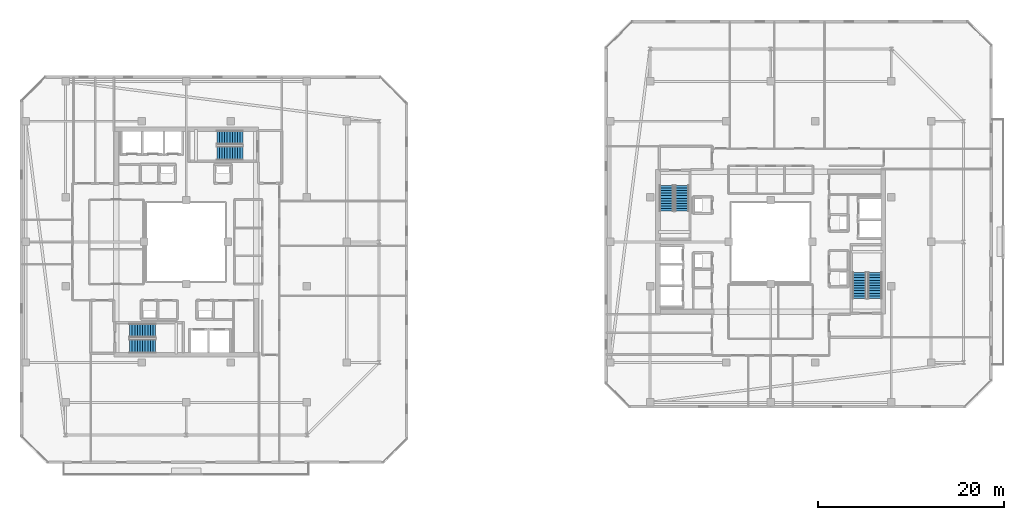
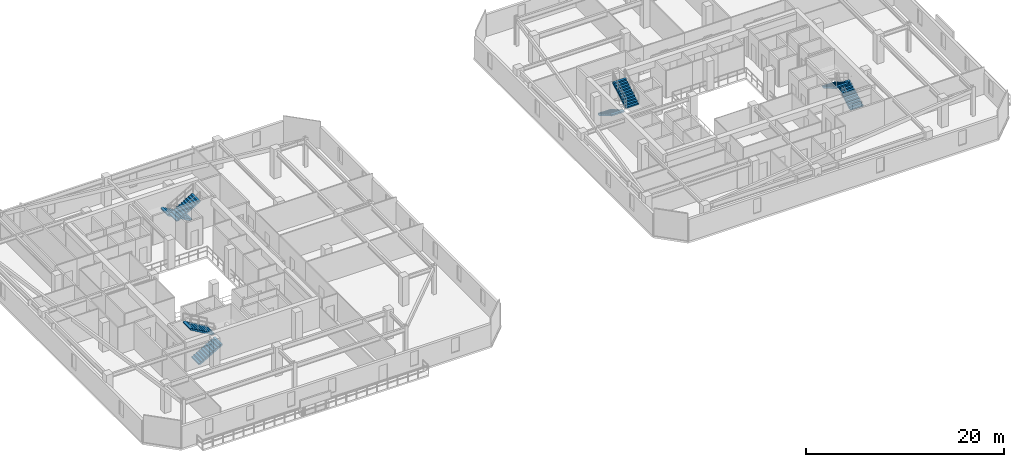
# One storey, part 29 of 35: 8 stair flights, 4 elements without a shape of their own.
"""IFC4 building model written with IfcOpenShell, lengths in metres."""

import ifcopenshell
import ifcopenshell.guid

model = None  # the IFC model being written
_history = None  # IfcOwnerHistory: only IFC2X3 demands one
_inside = {}  # id of a spatial element -> (the spatial element, [elements in it])
_under = {}  # id of a project, library or spatial element -> (it, [spatial elements below it])
_declared = {}  # id of a project -> (the project, [libraries it declares])
_typed = {}  # id of a type object -> (the type object, [elements of that type])
_made_of = {}  # id of a material, layer set ... -> (it, [elements and type objects made of it])


def new_model(schema):
    """Start an empty IFC model of exactly this schema.

    Asked for "IFC4X3", IfcOpenShell would pick the latest addendum, in which some entities
    have other attributes; the version numbers below select the first issue.
    IFC2X3 requires an IfcOwnerHistory on every rooted entity: one is made here for all.
    """
    global model, _history
    if schema == "IFC4X3":
        model = ifcopenshell.file(schema_version=(4, 3, 0, 0))
    else:
        model = ifcopenshell.file(schema=schema)
    _inside.clear()
    _under.clear()
    _declared.clear()
    _typed.clear()
    _made_of.clear()
    _history = None
    if model.schema == "IFC2X3":
        org = make("IfcOrganization", Name="unknown")
        user = make(
            "IfcPersonAndOrganization",
            ThePerson=make("IfcPerson", FamilyName="unknown"),
            TheOrganization=org,
        )
        app = make(
            "IfcApplication",
            ApplicationDeveloper=org,
            Version="unknown",
            ApplicationFullName="unknown",
            ApplicationIdentifier="unknown",
        )
        _history = make(
            "IfcOwnerHistory",
            OwningUser=user,
            OwningApplication=app,
            ChangeAction="ADDED",
            CreationDate=0,
        )
    return model


def make(cls, **values):
    """One entity of the class cls with the attributes given. An attribute that is None is left unset."""
    return model.create_entity(
        cls, **{name: value for name, value in values.items() if value is not None}
    )


def rooted(cls, **values):
    """An entity with a GlobalId (a new one), such as an element, a storey or a relation."""
    return make(cls, GlobalId=ifcopenshell.guid.new(), OwnerHistory=_history, **values)


def si_unit(unit_type, name, prefix=None):
    """IfcSIUnit, for example si_unit("LENGTHUNIT", "METRE", prefix="MILLI")."""
    return make("IfcSIUnit", UnitType=unit_type, Prefix=prefix, Name=name)


def assignment(units):
    """IfcUnitAssignment: the units of a project."""
    return None if units is None else make("IfcUnitAssignment", Units=units)


def point(xyz):
    """IfcCartesianPoint."""
    return None if xyz is None else make("IfcCartesianPoint", Coordinates=xyz)


def direction(xyz):
    """IfcDirection."""
    return None if xyz is None else make("IfcDirection", DirectionRatios=xyz)


def frame(location, z_axis=None, x_axis=None):
    """IfcAxis2Placement3D, a coordinate frame: its origin and axes. An axis left out is left unset."""
    return make(
        "IfcAxis2Placement3D",
        Location=point(location),
        Axis=direction(z_axis),
        RefDirection=direction(x_axis),
    )


def origin():
    """The frame at (0, 0, 0) with its axes left unset."""
    return frame((0.0, 0.0, 0.0))


def place(relative_to, where):
    """IfcLocalPlacement: puts the frame where relative to a parent placement (None: the world)."""
    return make(
        "IfcLocalPlacement", PlacementRelTo=relative_to, RelativePlacement=where
    )


def context(
    kind, dimensions, precision=None, world=None, true_north=None, identifier=None
):
    """IfcGeometricRepresentationContext, for example the 3D "Model" context."""
    return make(
        "IfcGeometricRepresentationContext",
        ContextIdentifier=identifier,
        ContextType=kind,
        CoordinateSpaceDimension=dimensions,
        Precision=precision,
        WorldCoordinateSystem=world,
        TrueNorth=true_north,
    )


def subcontext(parent, identifier, kind, view, scale=None):
    """IfcGeometricRepresentationSubContext, for example "Body" below "Model"."""
    return make(
        "IfcGeometricRepresentationSubContext",
        ContextIdentifier=identifier,
        ContextType=kind,
        ParentContext=parent,
        TargetScale=scale,
        TargetView=view,
    )


def project(units=None, contexts=None):
    """IfcProject with its units and contexts."""
    return rooted(
        "IfcProject",
        Name="project",
        RepresentationContexts=contexts,
        UnitsInContext=assignment(units),
    )


def spatial(cls, under=None, at=None, **own):
    """A site, building, storey or space (cls), placed at a placement, below another one or the project."""
    s = rooted(cls, ObjectPlacement=at, **own)
    if under is not None:
        _under.setdefault(under.id(), (under, []))[1].append(s)
    return s


def polyline(points):
    """IfcPolyline through the points."""
    return make("IfcPolyline", Points=[point(p) for p in points])


def outline(outer, holes=None, kind="AREA"):
    """IfcArbitraryClosedProfileDef: a profile drawn as a closed curve; with holes, ...WithVoids."""
    if holes is None:
        return make("IfcArbitraryClosedProfileDef", ProfileType=kind, OuterCurve=outer)
    return make(
        "IfcArbitraryProfileDefWithVoids",
        ProfileType=kind,
        OuterCurve=outer,
        InnerCurves=holes,
    )


def extrude(swept, where, along, depth):
    """IfcExtrudedAreaSolid: the profile swept, set in the frame where, extruded along a direction by depth."""
    return make(
        "IfcExtrudedAreaSolid",
        SweptArea=swept,
        Position=where,
        ExtrudedDirection=direction(along),
        Depth=depth,
    )


def shape(context_of_items, identifier, shape_type, items):
    """IfcShapeRepresentation: the items that make up one representation, for example the "Body"."""
    return make(
        "IfcShapeRepresentation",
        ContextOfItems=context_of_items,
        RepresentationIdentifier=identifier,
        RepresentationType=shape_type,
        Items=items,
    )


def material(Name=None, Category=None):
    """IfcMaterial."""
    return make("IfcMaterial", Name=Name, Category=Category)


def made_of(thing, what):
    """Note that an element or type object is made of a material, layer set ...; save() writes the relation."""
    if what is not None:
        _made_of.setdefault(what.id(), (what, []))[1].append(thing)
    return thing


def type_object(cls, material=None, **own):
    """A type object (cls), such as IfcWallType, which elements share."""
    return made_of(rooted(cls, **own), material)


def element(
    cls,
    number,
    at=None,
    inside=None,
    cuts=None,
    type_object=None,
    material=None,
    context=None,
    identifier="Body",
    shape_type=None,
    held_by="IfcProductDefinitionShape",
    body=None,
    shapes=None,
    **own,
):
    """One element of the class cls, such as IfcWall. Its Tag is "e" and its number.

    at: its placement. inside: the storey or other place that contains it. cuts: it is an
    opening in that element (IfcRelVoidsElement). A single representation is given by context,
    identifier, shape_type and body (its items); several are given by shapes. held_by: the class
    of the entity that holds the representations. save() writes the other relations.
    """
    e = rooted(cls, Tag="e%d" % number, ObjectPlacement=at, **own)
    if body is not None:
        shapes = [shape(context, identifier, shape_type, body)]
    if shapes is not None:
        e.Representation = make(held_by, Representations=shapes)
    if inside is not None:
        _inside.setdefault(inside.id(), (inside, []))[1].append(e)
    if cuts is not None:
        rooted(
            "IfcRelVoidsElement", RelatingBuildingElement=cuts, RelatedOpeningElement=e
        )
    if type_object is not None:
        _typed.setdefault(type_object.id(), (type_object, []))[1].append(e)
    return made_of(e, material)


def aggregate(whole, parts):
    """IfcRelAggregates: a whole, such as a stair, and the parts it consists of."""
    return rooted("IfcRelAggregates", RelatingObject=whole, RelatedObjects=parts)


def save(model, path):
    """Write the relations noted so far, then the file.

    IfcRelAggregates (storeys below a building ...), IfcRelContainedInSpatialStructure (elements
    in a storey), IfcRelDefinesByType, IfcRelAssociatesMaterial and IfcRelDeclares: one each for
    every whole, place, type object, material and project.
    """
    for whole, parts in _under.values():
        aggregate(whole, parts)
    for where, things in _inside.values():
        rooted(
            "IfcRelContainedInSpatialStructure",
            RelatedElements=things,
            RelatingStructure=where,
        )
    for kind, things in _typed.values():
        rooted("IfcRelDefinesByType", RelatedObjects=things, RelatingType=kind)
    for what, things in _made_of.values():
        rooted("IfcRelAssociatesMaterial", RelatedObjects=things, RelatingMaterial=what)
    for by, libraries in _declared.values():
        rooted("IfcRelDeclares", RelatingContext=by, RelatedDefinitions=libraries)
    model.write(path)


model = new_model("IFC4")

# Units and contexts
model_context = context("Model", 3, precision=1e-05, world=origin(), true_north=direction((0.0, 1.0)))
body_context = subcontext(model_context, "Body", "Model", "MODEL_VIEW")
ifc_project = project(units=[si_unit("LENGTHUNIT", "METRE"), si_unit("AREAUNIT", "SQUARE_METRE"), si_unit("VOLUMEUNIT", "CUBIC_METRE"), si_unit("PLANEANGLEUNIT", "RADIAN"), si_unit("MASSUNIT", "GRAM", prefix="KILO")], contexts=[model_context])

# Site, building, storey
site_placement = place(None, origin())
site = spatial("IfcSite", under=ifc_project, at=site_placement, CompositionType="ELEMENT")
building_placement = place(site_placement, origin())
building = spatial("IfcBuilding", under=site, at=building_placement, Name="Thornwick Lancets Civic Towers", CompositionType="ELEMENT")
storey_placement = place(building_placement, frame((0.0, 0.0, 272.699951171875)))
storey = spatial("IfcBuildingStorey", under=building, at=storey_placement, Name="L73", CompositionType="ELEMENT", Elevation=272.699951171875)

# Stair, stair flights
ifc_material = material(Name="Concrete C40/50", Category="concrete")
stair_type = type_object("IfcStairType", Name="STAIR_DL_3600", PredefinedType="HALF_TURN_STAIR", material=ifc_material)
stair_1_placement = place(storey_placement, origin())
stair_1 = element("IfcStair", 1, at=stair_1_placement, inside=storey, type_object=stair_type, Name="L73 Tower A South Exit Stair ST-A1", PredefinedType="HALF_TURN_STAIR")
stair_flight_type = type_object("IfcStairFlightType", Name="FLIGHT_3600", PredefinedType="STRAIGHT", material=ifc_material)
stair_flight_1_placement = place(storey_placement, frame((19.39990234375, 15.75, 0.0), z_axis=(0.0, 0.0, 1.0), x_axis=(1.0, 0.0, 0.0)))
stair_flight_1 = element("IfcStairFlight", 2, at=stair_flight_1_placement, type_object=stair_flight_type, Name="ST-A1 flight 1", NumberOfRisers=11, NumberOfTreads=10, PredefinedType="STRAIGHT", RiserHeight=0.163636364, TreadLength=0.28, context=body_context, shape_type="SweptSolid", body=[
    extrude(outline(polyline([(0.0, 0.0), (0.0, 0.16357421875), (0.280029296875, 0.16357421875), (0.280029296875, 0.327392578125), (0.56005859375, 0.327392578125), (0.56005859375, 0.490966796875), (0.840087890625, 0.490966796875), (0.840087890625, 0.654541015625), (1.1201171875, 0.654541015625), (1.1201171875, 0.818115234375), (1.39990234375, 0.818115234375), (1.39990234375, 0.98193359375), (1.679931640625, 0.98193359375), (1.679931640625, 1.1455078125), (1.9599609375, 1.1455078125), (1.9599609375, 1.30908203125), (2.239990234375, 1.30908203125), (2.239990234375, 1.47265625), (2.52001953125, 1.47265625), (2.52001953125, 1.636474609375), (2.800048828125, 1.636474609375), (2.800048828125, 1.800048828125), (2.800048828125, 1.462646484375), (0.297119140625, 0.0), (0.0, 0.0)])), frame((0.0, 0.75, 0.0), z_axis=(0.0, -1.0, 0.0), x_axis=(1.0, 0.0, 0.0)), (0.0, 0.0, 1.0), 1.5),
])
stair_flight_2_placement = place(storey_placement, frame((22.199951171875, 17.449951171875, 1.800048828125), z_axis=(0.0, 0.0, 1.0), x_axis=(-1.0, 0.0, 0.0)))
stair_flight_2 = element("IfcStairFlight", 3, at=stair_flight_2_placement, type_object=stair_flight_type, Name="ST-A1 flight 2", NumberOfRisers=11, NumberOfTreads=10, PredefinedType="STRAIGHT", RiserHeight=0.163636364, TreadLength=0.28, context=body_context, shape_type="SweptSolid", body=[
    extrude(outline(polyline([(0.0, 0.0), (0.0, 0.16357421875), (0.280029296875, 0.16357421875), (0.280029296875, 0.327392578125), (0.56005859375, 0.327392578125), (0.56005859375, 0.490966796875), (0.840087890625, 0.490966796875), (0.840087890625, 0.654541015625), (1.1201171875, 0.654541015625), (1.1201171875, 0.818115234375), (1.39990234375, 0.818115234375), (1.39990234375, 0.98193359375), (1.679931640625, 0.98193359375), (1.679931640625, 1.1455078125), (1.9599609375, 1.1455078125), (1.9599609375, 1.30908203125), (2.239990234375, 1.30908203125), (2.239990234375, 1.47265625), (2.52001953125, 1.47265625), (2.52001953125, 1.636474609375), (2.800048828125, 1.636474609375), (2.800048828125, 1.800048828125), (2.800048828125, 1.462646484375), (0.297119140625, 0.0), (0.0, 0.0)])), frame((0.0, 0.75, 0.0), z_axis=(0.0, -1.0, 0.0), x_axis=(1.0, 0.0, 0.0)), (0.0, 0.0, 1.0), 1.5),
])
aggregate(stair_1, [stair_flight_1, stair_flight_2])

stair_2_placement = place(storey_placement, origin())
stair_2 = element("IfcStair", 4, at=stair_2_placement, inside=storey, type_object=stair_type, Name="L73 Tower A North Exit Stair ST-A2", PredefinedType="HALF_TURN_STAIR")
stair_flight_3_placement = place(storey_placement, frame((31.60009765625, 38.25, 0.0), z_axis=(0.0, 0.0, 1.0), x_axis=(-1.0, 0.0, 0.0)))
stair_flight_3 = element("IfcStairFlight", 5, at=stair_flight_3_placement, type_object=stair_flight_type, Name="ST-A2 flight 1", NumberOfRisers=11, NumberOfTreads=10, PredefinedType="STRAIGHT", RiserHeight=0.163636364, TreadLength=0.28, context=body_context, shape_type="SweptSolid", body=[
    extrude(outline(polyline([(0.0, 0.0), (0.0, 0.16357421875), (0.280029296875, 0.16357421875), (0.280029296875, 0.327392578125), (0.56005859375, 0.327392578125), (0.56005859375, 0.490966796875), (0.840087890625, 0.490966796875), (0.840087890625, 0.654541015625), (1.1201171875, 0.654541015625), (1.1201171875, 0.818115234375), (1.39990234375, 0.818115234375), (1.39990234375, 0.98193359375), (1.679931640625, 0.98193359375), (1.679931640625, 1.1455078125), (1.9599609375, 1.1455078125), (1.9599609375, 1.30908203125), (2.239990234375, 1.30908203125), (2.239990234375, 1.47265625), (2.52001953125, 1.47265625), (2.52001953125, 1.636474609375), (2.800048828125, 1.636474609375), (2.800048828125, 1.800048828125), (2.800048828125, 1.462646484375), (0.297119140625, 0.0), (0.0, 0.0)])), frame((0.0, 0.75, 0.0), z_axis=(0.0, -1.0, 0.0), x_axis=(1.0, 0.0, 0.0)), (0.0, 0.0, 1.0), 1.5),
])
stair_flight_4_placement = place(storey_placement, frame((28.800048828125, 36.550048828125, 1.800048828125), z_axis=(0.0, 0.0, 1.0), x_axis=(1.0, 0.0, 0.0)))
stair_flight_4 = element("IfcStairFlight", 6, at=stair_flight_4_placement, type_object=stair_flight_type, Name="ST-A2 flight 2", NumberOfRisers=11, NumberOfTreads=10, PredefinedType="STRAIGHT", RiserHeight=0.163636364, TreadLength=0.28, context=body_context, shape_type="SweptSolid", body=[
    extrude(outline(polyline([(0.0, 0.0), (0.0, 0.16357421875), (0.280029296875, 0.16357421875), (0.280029296875, 0.327392578125), (0.56005859375, 0.327392578125), (0.56005859375, 0.490966796875), (0.840087890625, 0.490966796875), (0.840087890625, 0.654541015625), (1.1201171875, 0.654541015625), (1.1201171875, 0.818115234375), (1.39990234375, 0.818115234375), (1.39990234375, 0.98193359375), (1.679931640625, 0.98193359375), (1.679931640625, 1.1455078125), (1.9599609375, 1.1455078125), (1.9599609375, 1.30908203125), (2.239990234375, 1.30908203125), (2.239990234375, 1.47265625), (2.52001953125, 1.47265625), (2.52001953125, 1.636474609375), (2.800048828125, 1.636474609375), (2.800048828125, 1.800048828125), (2.800048828125, 1.462646484375), (0.297119140625, 0.0), (0.0, 0.0)])), frame((0.0, 0.75, 0.0), z_axis=(0.0, -1.0, 0.0), x_axis=(1.0, 0.0, 0.0)), (0.0, 0.0, 1.0), 1.5),
])
aggregate(stair_2, [stair_flight_3, stair_flight_4])

stair_3_placement = place(storey_placement, origin())
stair_3 = element("IfcStair", 7, at=stair_3_placement, inside=storey, type_object=stair_type, Name="L73 Tower B East Exit Stair ST-B1", PredefinedType="HALF_TURN_STAIR")
stair_flight_5_placement = place(storey_placement, frame((99.75, 20.89990234375, 0.0), z_axis=(0.0, 0.0, 1.0), x_axis=(0.0, 1.0, 0.0)))
stair_flight_5 = element("IfcStairFlight", 8, at=stair_flight_5_placement, type_object=stair_flight_type, Name="ST-B1 flight 1", NumberOfRisers=11, NumberOfTreads=10, PredefinedType="STRAIGHT", RiserHeight=0.163636364, TreadLength=0.28, context=body_context, shape_type="SweptSolid", body=[
    extrude(outline(polyline([(0.0, 0.0), (0.0, 0.16357421875), (0.280029296875, 0.16357421875), (0.280029296875, 0.327392578125), (0.56005859375, 0.327392578125), (0.56005859375, 0.490966796875), (0.840087890625, 0.490966796875), (0.840087890625, 0.654541015625), (1.1201171875, 0.654541015625), (1.1201171875, 0.818115234375), (1.39990234375, 0.818115234375), (1.39990234375, 0.98193359375), (1.679931640625, 0.98193359375), (1.679931640625, 1.1455078125), (1.9599609375, 1.1455078125), (1.9599609375, 1.30908203125), (2.239990234375, 1.30908203125), (2.239990234375, 1.47265625), (2.52001953125, 1.47265625), (2.52001953125, 1.636474609375), (2.800048828125, 1.636474609375), (2.800048828125, 1.800048828125), (2.800048828125, 1.462646484375), (0.297119140625, 0.0), (0.0, 0.0)])), frame((0.0, 0.75, 0.0), z_axis=(0.0, -1.0, 0.0), x_axis=(1.0, 0.0, 0.0)), (0.0, 0.0, 1.0), 1.5),
])
stair_flight_6_placement = place(storey_placement, frame((98.050048828125, 23.699951171875, 1.800048828125), z_axis=(0.0, 0.0, 1.0), x_axis=(0.0, -1.0, 0.0)))
stair_flight_6 = element("IfcStairFlight", 9, at=stair_flight_6_placement, type_object=stair_flight_type, Name="ST-B1 flight 2", NumberOfRisers=11, NumberOfTreads=10, PredefinedType="STRAIGHT", RiserHeight=0.163636364, TreadLength=0.28, context=body_context, shape_type="SweptSolid", body=[
    extrude(outline(polyline([(0.0, 0.0), (0.0, 0.16357421875), (0.280029296875, 0.16357421875), (0.280029296875, 0.327392578125), (0.56005859375, 0.327392578125), (0.56005859375, 0.490966796875), (0.840087890625, 0.490966796875), (0.840087890625, 0.654541015625), (1.1201171875, 0.654541015625), (1.1201171875, 0.818115234375), (1.39990234375, 0.818115234375), (1.39990234375, 0.98193359375), (1.679931640625, 0.98193359375), (1.679931640625, 1.1455078125), (1.9599609375, 1.1455078125), (1.9599609375, 1.30908203125), (2.239990234375, 1.30908203125), (2.239990234375, 1.47265625), (2.52001953125, 1.47265625), (2.52001953125, 1.636474609375), (2.800048828125, 1.636474609375), (2.800048828125, 1.800048828125), (2.800048828125, 1.462646484375), (0.297119140625, 0.0), (0.0, 0.0)])), frame((0.0, 0.75, 0.0), z_axis=(0.0, -1.0, 0.0), x_axis=(1.0, 0.0, 0.0)), (0.0, 0.0, 1.0), 1.5),
])
aggregate(stair_3, [stair_flight_5, stair_flight_6])

stair_4_placement = place(storey_placement, origin())
stair_4 = element("IfcStair", 10, at=stair_4_placement, inside=storey, type_object=stair_type, Name="L73 Tower B West Exit Stair ST-B2", PredefinedType="HALF_TURN_STAIR")
stair_flight_7_placement = place(storey_placement, frame((77.25, 33.10009765625, 0.0), z_axis=(0.0, 0.0, 1.0), x_axis=(0.0, -1.0, 0.0)))
stair_flight_7 = element("IfcStairFlight", 11, at=stair_flight_7_placement, type_object=stair_flight_type, Name="ST-B2 flight 1", NumberOfRisers=11, NumberOfTreads=10, PredefinedType="STRAIGHT", RiserHeight=0.163636364, TreadLength=0.28, context=body_context, shape_type="SweptSolid", body=[
    extrude(outline(polyline([(0.0, 0.0), (0.0, 0.16357421875), (0.280029296875, 0.16357421875), (0.280029296875, 0.327392578125), (0.56005859375, 0.327392578125), (0.56005859375, 0.490966796875), (0.840087890625, 0.490966796875), (0.840087890625, 0.654541015625), (1.1201171875, 0.654541015625), (1.1201171875, 0.818115234375), (1.39990234375, 0.818115234375), (1.39990234375, 0.98193359375), (1.679931640625, 0.98193359375), (1.679931640625, 1.1455078125), (1.9599609375, 1.1455078125), (1.9599609375, 1.30908203125), (2.239990234375, 1.30908203125), (2.239990234375, 1.47265625), (2.52001953125, 1.47265625), (2.52001953125, 1.636474609375), (2.800048828125, 1.636474609375), (2.800048828125, 1.800048828125), (2.800048828125, 1.462646484375), (0.297119140625, 0.0), (0.0, 0.0)])), frame((0.0, 0.75, 0.0), z_axis=(0.0, -1.0, 0.0), x_axis=(1.0, 0.0, 0.0)), (0.0, 0.0, 1.0), 1.5),
])
stair_flight_8_placement = place(storey_placement, frame((78.949951171875, 30.300048828125, 1.800048828125), z_axis=(0.0, 0.0, 1.0), x_axis=(0.0, 1.0, 0.0)))
stair_flight_8 = element("IfcStairFlight", 12, at=stair_flight_8_placement, type_object=stair_flight_type, Name="ST-B2 flight 2", NumberOfRisers=11, NumberOfTreads=10, PredefinedType="STRAIGHT", RiserHeight=0.163636364, TreadLength=0.28, context=body_context, shape_type="SweptSolid", body=[
    extrude(outline(polyline([(0.0, 0.0), (0.0, 0.16357421875), (0.280029296875, 0.16357421875), (0.280029296875, 0.327392578125), (0.56005859375, 0.327392578125), (0.56005859375, 0.490966796875), (0.840087890625, 0.490966796875), (0.840087890625, 0.654541015625), (1.1201171875, 0.654541015625), (1.1201171875, 0.818115234375), (1.39990234375, 0.818115234375), (1.39990234375, 0.98193359375), (1.679931640625, 0.98193359375), (1.679931640625, 1.1455078125), (1.9599609375, 1.1455078125), (1.9599609375, 1.30908203125), (2.239990234375, 1.30908203125), (2.239990234375, 1.47265625), (2.52001953125, 1.47265625), (2.52001953125, 1.636474609375), (2.800048828125, 1.636474609375), (2.800048828125, 1.800048828125), (2.800048828125, 1.462646484375), (0.297119140625, 0.0), (0.0, 0.0)])), frame((0.0, 0.75, 0.0), z_axis=(0.0, -1.0, 0.0), x_axis=(1.0, 0.0, 0.0)), (0.0, 0.0, 1.0), 1.5),
])
aggregate(stair_4, [stair_flight_7, stair_flight_8])

save(model, "model.ifc")
